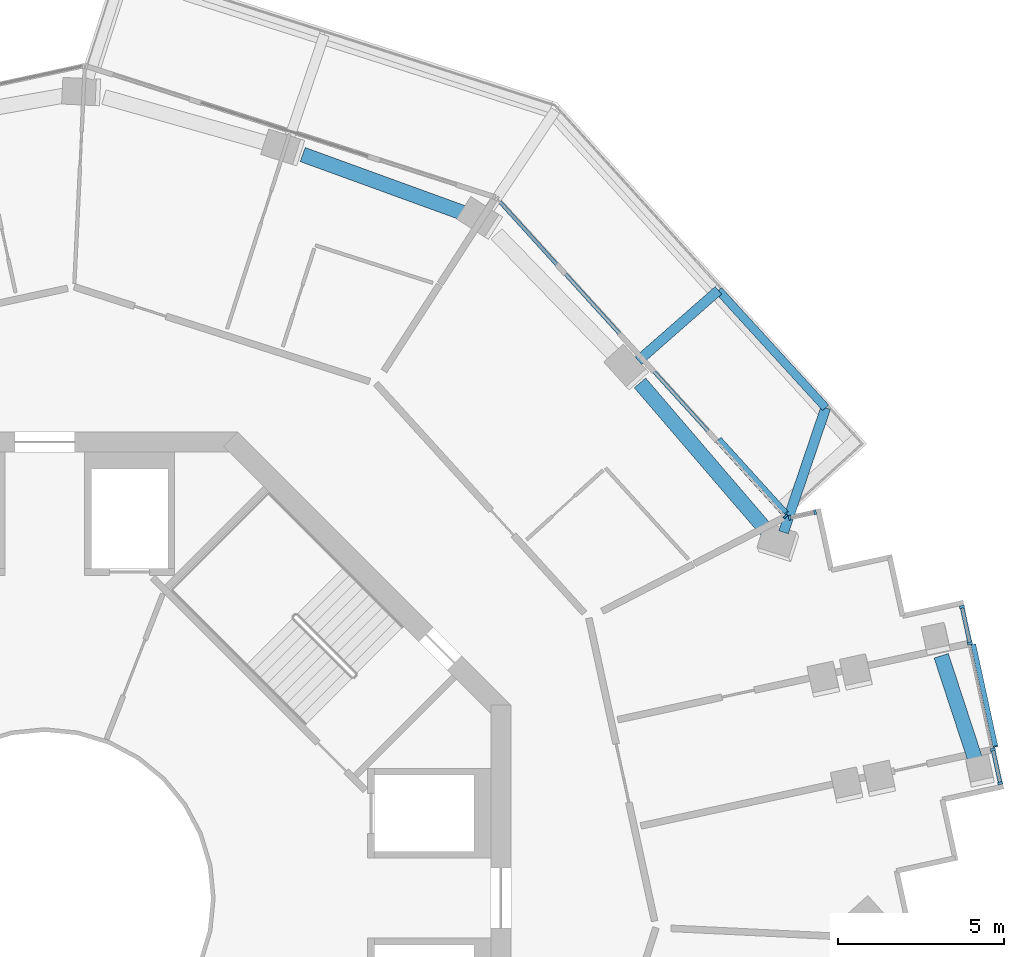
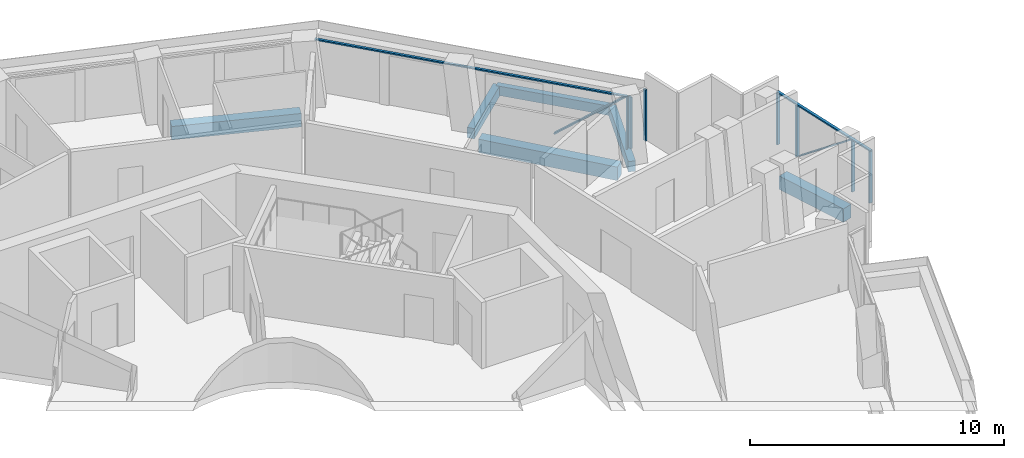
# One storey, part 8 of 23: 11 members, 6 beams, 3 elements without a shape of their own.
"""IFC4 building model written with IfcOpenShell, lengths in metres."""

from ifc_helpers import new_model, si_unit, direction, frame, origin, origin_2d, place, context, subcontext, project, spatial, rectangle, extrude, material, layer, layer_set, material_profile, profile_set, type_object, element, aggregate, save


model = new_model("IFC4")

# Units and contexts
model_context = context("Model", 3, precision=1e-05, world=origin(), true_north=direction((0.0, 1.0)))
body_context = subcontext(model_context, "Body", "Model", "MODEL_VIEW")
ifc_project = project(units=[si_unit("LENGTHUNIT", "METRE"), si_unit("AREAUNIT", "SQUARE_METRE"), si_unit("VOLUMEUNIT", "CUBIC_METRE"), si_unit("PLANEANGLEUNIT", "RADIAN"), si_unit("MASSUNIT", "GRAM", prefix="KILO")], contexts=[model_context])

# Site, building, storey
site_placement = place(None, origin())
site = spatial("IfcSite", under=ifc_project, at=site_placement, CompositionType="ELEMENT")
building_placement = place(site_placement, origin())
building = spatial("IfcBuilding", under=site, at=building_placement, Name="Verdalira Terraces Hotel", CompositionType="ELEMENT")
storey_placement = place(building_placement, frame((0.0, 0.0, 205.5)))
storey = spatial("IfcBuildingStorey", under=building, at=storey_placement, Name="L50", CompositionType="ELEMENT", Elevation=205.5)

# Beams
ifc_material_1 = material(Name="Concrete C40", Category="concrete")
ifc_material_profile_1 = material_profile(ifc_material_1, rectangle(XDim=0.300049, YDim=0.5, at=origin_2d()), Name="RC 300X500")
ifc_profile_set_1 = profile_set([ifc_material_profile_1], Name="Concrete C40")
beam_type_1 = type_object("IfcBeamType", Name="Balcony cantilever beam RC 300X500 C40", PredefinedType="BEAM", material=ifc_profile_set_1)
beam_1_placement = place(storey_placement, frame((22.19458, 10.990723, -0.560059), z_axis=(0.320970688, 0.947089129, 0.0), x_axis=(-0.947089129, 0.320970688, 0.0)))
element("IfcBeam", 1, at=beam_1_placement, inside=storey, type_object=beam_type_1, Name="Balcony cantilever beam R39-1", PredefinedType="BEAM", context=body_context, shape_type="SweptSolid", body=[
    extrude(rectangle(XDim=0.300049, YDim=0.5, at=origin_2d()), origin(), (0.0, 0.0, 1.0), 3.949951),
])
beam_2_placement = place(storey_placement, frame((17.833984, 16.147461, -0.560059), z_axis=(0.751460517, 0.659778062, 0.0), x_axis=(-0.659778062, 0.751460517, 0.0)))
element("IfcBeam", 2, at=beam_2_placement, inside=storey, type_object=beam_type_1, Name="Balcony cantilever beam R39-2", PredefinedType="BEAM", context=body_context, shape_type="SweptSolid", body=[
    extrude(rectangle(XDim=0.300049, YDim=0.5, at=origin_2d()), origin(), (0.0, 0.0, 1.0), 3.200684),
])
ifc_material_2 = material(Name="Concrete C40", Category="concrete")
ifc_material_profile_2 = material_profile(ifc_material_2, rectangle(XDim=0.25, YDim=0.449951, at=origin_2d()), Name="RC 250X450")
ifc_profile_set_2 = profile_set([ifc_material_profile_2], Name="Concrete C40")
beam_type_2 = type_object("IfcBeamType", Name="Balcony edge beam RC 250X450 C40", PredefinedType="BEAM", material=ifc_profile_set_2)
beam_3_placement = place(storey_placement, frame((23.462402, 14.731689, -0.534912), z_axis=(-0.674532214, 0.738245415, 0.0), x_axis=(-0.738245415, -0.674532214, 0.0)))
element("IfcBeam", 3, at=beam_3_placement, inside=storey, type_object=beam_type_2, Name="Balcony edge beam R39-1", PredefinedType="BEAM", context=body_context, shape_type="SweptSolid", body=[
    extrude(rectangle(XDim=0.25, YDim=0.449951, at=origin_2d()), origin(), (0.0, 0.0, 1.0), 4.77832),
])

# Curtain wall, members
ifc_material_3 = material(Name="Clear glass", Category="glass")
ifc_layer_1 = layer(ifc_material_3, 0.14990234375)
ifc_layer_set_1 = layer_set([ifc_layer_1], Name="CW1 curtain wall")
curtain_wall_type_1 = type_object("IfcCurtainWallType", Name="CW1 curtain wall", PredefinedType="NOTDEFINED", material=ifc_layer_set_1)
curtain_wall_1_placement = place(storey_placement, origin())
curtain_wall_1 = element("IfcCurtainWall", 4, at=curtain_wall_1_placement, inside=storey, type_object=curtain_wall_type_1, Name="CW1 curtain wall L50 edge 39", PredefinedType="NOTDEFINED")
ifc_material_4 = material(Name="Terracotta frame", Category="masonry")
ifc_material_profile_3 = material_profile(ifc_material_4, rectangle(XDim=0.060059, YDim=0.149902, at=origin_2d()), Name="MU 60x150")
ifc_profile_set_3 = profile_set([ifc_material_profile_3], Name="Terracotta frame")
member_type_1 = type_object("IfcMemberType", Name="CW1 mullion 60x150", PredefinedType="MULLION", material=ifc_profile_set_3)
member_1_placement = place(storey_placement, frame((22.253174, 11.467041, 0.0), z_axis=(0.0, 0.0, 1.0), x_axis=(-0.672237605, 0.740335466, 0.0)))
member_1 = element("IfcMember", 5, at=member_1_placement, type_object=member_type_1, Name="CW1 mullion", PredefinedType="MULLION", context=body_context, shape_type="SweptSolid", body=[
    extrude(rectangle(XDim=0.060059, YDim=0.149902, at=origin_2d()), origin(), (0.0, 0.0, 1.0), 2.475098),
])
ifc_material_5 = material(Name="Terracotta frame", Category="masonry")
ifc_material_profile_4 = material_profile(ifc_material_5, rectangle(XDim=0.110107, YDim=0.064941, at=origin_2d()), Name="TR 65x110")
ifc_profile_set_4 = profile_set([ifc_material_profile_4], Name="Terracotta frame")
member_type_2 = type_object("IfcMemberType", Name="CW1 transom 65x110", PredefinedType="USERDEFINED", material=ifc_profile_set_4)
member_2_placement = place(storey_placement, frame((22.273438, 11.444824, 2.507568), z_axis=(-0.672246049, 0.740327799, 0.0), x_axis=(-0.740327799, -0.672246049, 0.0)))
member_2 = element("IfcMember", 6, at=member_2_placement, type_object=member_type_2, Name="CW1 transom", ObjectType="TRANSOM", PredefinedType="USERDEFINED", context=body_context, shape_type="SweptSolid", body=[
    extrude(rectangle(XDim=0.110107, YDim=0.064941, at=origin_2d()), origin(), (0.0, 0.0, 1.0), 12.959717),
])

ifc_material_6 = material(Name="Clear glass", Category="glass")
ifc_layer_2 = layer(ifc_material_6, 0.14990234375)
ifc_layer_set_2 = layer_set([ifc_layer_2], Name="CW2 curtain wall")
curtain_wall_type_2 = type_object("IfcCurtainWallType", Name="CW2 curtain wall", PredefinedType="NOTDEFINED", material=ifc_layer_set_2)
curtain_wall_2_placement = place(storey_placement, origin())
curtain_wall_2 = element("IfcCurtainWall", 7, at=curtain_wall_2_placement, inside=storey, type_object=curtain_wall_type_2, Name="CW2 curtain wall L50 edge 38", PredefinedType="NOTDEFINED")
ifc_material_7 = material(Name="Terracotta frame", Category="masonry")
ifc_material_profile_5 = material_profile(ifc_material_7, rectangle(XDim=0.070068, YDim=0.149902, at=origin_2d()), Name="MU 70x150")
ifc_profile_set_5 = profile_set([ifc_material_profile_5], Name="Terracotta frame")
member_type_3 = type_object("IfcMemberType", Name="CW2 mullion 70x150", PredefinedType="MULLION", material=ifc_profile_set_5)
member_3_placement = place(storey_placement, frame((23.141113, 11.594727, 0.0), z_axis=(0.0, 0.0, 1.0), x_axis=(-0.977268124, -0.21200711, 0.0)))
member_3 = element("IfcMember", 8, at=member_3_placement, type_object=member_type_3, Name="CW2 mullion", PredefinedType="MULLION", context=body_context, shape_type="SweptSolid", body=[
    extrude(rectangle(XDim=0.070068, YDim=0.149902, at=origin_2d()), origin(), (0.0, 0.0, 1.0), 2.475098),
])
member_4_placement = place(storey_placement, frame((22.378906, 11.429199, 0.0), z_axis=(0.0, 0.0, 1.0), x_axis=(-0.977268124, -0.21200711, 0.0)))
member_4 = element("IfcMember", 9, at=member_4_placement, type_object=member_type_3, Name="CW2 mullion", PredefinedType="MULLION", context=body_context, shape_type="SweptSolid", body=[
    extrude(rectangle(XDim=0.070068, YDim=0.149902, at=origin_2d()), origin(), (0.0, 0.0, 1.0), 2.475098),
])
aggregate(curtain_wall_2, [member_3, member_4])

ifc_material_8 = material(Name="Clear glass", Category="glass")
ifc_layer_3 = layer(ifc_material_8, 0.14990234375)
ifc_layer_set_3 = layer_set([ifc_layer_3], Name="CW3 curtain wall")
curtain_wall_type_3 = type_object("IfcCurtainWallType", Name="CW3 curtain wall", PredefinedType="NOTDEFINED", material=ifc_layer_set_3)
curtain_wall_3_placement = place(storey_placement, origin())
curtain_wall_3 = element("IfcCurtainWall", 10, at=curtain_wall_3_placement, inside=storey, type_object=curtain_wall_type_3, Name="CW3 curtain wall L50 edge 33", PredefinedType="NOTDEFINED")
ifc_material_9 = material(Name="Terracotta frame", Category="masonry")
ifc_material_profile_6 = material_profile(ifc_material_9, rectangle(XDim=0.080078, YDim=0.149902, at=origin_2d()), Name="MU 80x150")
ifc_profile_set_6 = profile_set([ifc_material_profile_6], Name="Terracotta frame")
member_type_4 = type_object("IfcMemberType", Name="CW3 mullion 80x150", PredefinedType="MULLION", material=ifc_profile_set_6)
member_5_placement = place(storey_placement, frame((28.703613, 3.453857, 0.0), z_axis=(0.0, 0.0, 1.0), x_axis=(-0.21200711, 0.977268124, 0.0)))
member_5 = element("IfcMember", 11, at=member_5_placement, type_object=member_type_4, Name="CW3 mullion", PredefinedType="MULLION", context=body_context, shape_type="SweptSolid", body=[
    extrude(rectangle(XDim=0.080078, YDim=0.149902, at=origin_2d()), origin(), (0.0, 0.0, 1.0), 2.475098),
])
member_6_placement = place(storey_placement, frame((28.484375, 4.4646, 0.0), z_axis=(0.0, 0.0, 1.0), x_axis=(-0.21200711, 0.977268124, 0.0)))
member_6 = element("IfcMember", 12, at=member_6_placement, type_object=member_type_4, Name="CW3 mullion", PredefinedType="MULLION", context=body_context, shape_type="SweptSolid", body=[
    extrude(rectangle(XDim=0.080078, YDim=0.149902, at=origin_2d()), origin(), (0.0, 0.0, 1.0), 2.475098),
])
member_7_placement = place(storey_placement, frame((27.792236, 7.655029, 0.0), z_axis=(0.0, 0.0, 1.0), x_axis=(-0.21200711, 0.977268124, 0.0)))
member_7 = element("IfcMember", 13, at=member_7_placement, type_object=member_type_4, Name="CW3 mullion", PredefinedType="MULLION", context=body_context, shape_type="SweptSolid", body=[
    extrude(rectangle(XDim=0.080078, YDim=0.149902, at=origin_2d()), origin(), (0.0, 0.0, 1.0), 2.475098),
])
member_8_placement = place(storey_placement, frame((27.554443, 8.750732, 0.0), z_axis=(0.0, 0.0, 1.0), x_axis=(-0.21200711, 0.977268124, 0.0)))
member_8 = element("IfcMember", 14, at=member_8_placement, type_object=member_type_4, Name="CW3 mullion", PredefinedType="MULLION", context=body_context, shape_type="SweptSolid", body=[
    extrude(rectangle(XDim=0.080078, YDim=0.149902, at=origin_2d()), origin(), (0.0, 0.0, 1.0), 2.475098),
])
ifc_material_10 = material(Name="Terracotta frame", Category="masonry")
ifc_material_profile_7 = material_profile(ifc_material_10, rectangle(XDim=0.120117, YDim=0.064941, at=origin_2d()), Name="TR 65x120")
ifc_profile_set_7 = profile_set([ifc_material_profile_7], Name="Terracotta frame")
member_type_5 = type_object("IfcMemberType", Name="CW3 transom 65x120", PredefinedType="USERDEFINED", material=ifc_profile_set_7)
member_9_placement = place(storey_placement, frame((28.712158, 3.414795, 2.507568), z_axis=(-0.212044472, 0.977260017, 0.0), x_axis=(-0.977260017, -0.212044472, 0.0)))
member_9 = element("IfcMember", 15, at=member_9_placement, type_object=member_type_5, Name="CW3 transom", ObjectType="TRANSOM", PredefinedType="USERDEFINED", context=body_context, shape_type="SweptSolid", body=[
    extrude(rectangle(XDim=0.120117, YDim=0.064941, at=origin_2d()), origin(), (0.0, 0.0, 1.0), 5.5),
])
ifc_material_11 = material(Name="Terracotta frame", Category="masonry")
ifc_material_profile_8 = material_profile(ifc_material_11, rectangle(XDim=0.149902, YDim=0.060059, at=origin_2d()), Name="GB 60x150")
ifc_profile_set_8 = profile_set([ifc_material_profile_8], Name="Terracotta frame")
member_type_6 = type_object("IfcMemberType", Name="Diagonal glazing bar 60x150", PredefinedType="USERDEFINED", material=ifc_profile_set_8)
member_10_placement = place(storey_placement, frame((28.559814, 4.554932, 2.450195), z_axis=(-0.167347212, 0.771625703, -0.61366822), x_axis=(-0.977280752, -0.211948888, 0.0)))
member_10 = element("IfcMember", 16, at=member_10_placement, type_object=member_type_6, Name="Diagonal glazing bar", ObjectType="GLAZING BAR", PredefinedType="USERDEFINED", context=body_context, shape_type="SweptSolid", body=[
    extrude(rectangle(XDim=0.149902, YDim=0.060059, at=origin_2d()), origin(), (0.0, 0.0, 1.0), 3.952148),
])
aggregate(curtain_wall_3, [member_5, member_6, member_7, member_8, member_9, member_10])

# Member
member_11_placement = place(storey_placement, frame((22.278564, 11.571289, 2.450439), z_axis=(-0.521271078, 0.574135234, -0.631383557), x_axis=(-0.740369991, -0.67219958, 0.0)))
member_11 = element("IfcMember", 17, at=member_11_placement, type_object=member_type_6, Name="Diagonal glazing bar", ObjectType="GLAZING BAR", PredefinedType="USERDEFINED", context=body_context, shape_type="SweptSolid", body=[
    extrude(rectangle(XDim=0.149902, YDim=0.060059, at=origin_2d()), origin(), (0.0, 0.0, 1.0), 3.842285),
])

aggregate(curtain_wall_1, [member_1, member_2, member_11])

# Beams
ifc_material_12 = material(Name="Concrete C50", Category="concrete")
ifc_material_profile_9 = material_profile(ifc_material_12, rectangle(XDim=0.449951, YDim=0.649902, at=origin_2d()), Name="RC 450X650")
ifc_profile_set_9 = profile_set([ifc_material_profile_9], Name="Concrete C50")
beam_type_3 = type_object("IfcBeamType", Name="Spandrel beam RC 450X650 C50", PredefinedType="SPANDREL", material=ifc_profile_set_9)
beam_4_placement = place(storey_placement, frame((27.990723, 4.046631, -0.63501), z_axis=(-0.311361724, 0.95029147, 0.0), x_axis=(-0.95029147, -0.311361724, 0.0)))
element("IfcBeam", 18, at=beam_4_placement, inside=storey, type_object=beam_type_3, Name="Spandrel beam B17", PredefinedType="SPANDREL", context=body_context, shape_type="SweptSolid", body=[
    extrude(rectangle(XDim=0.449951, YDim=0.649902, at=origin_2d()), origin(), (0.0, 0.0, 1.0), 3.404541),
])
beam_5_placement = place(storey_placement, frame((21.666016, 11.066406, -0.63501), z_axis=(-0.651061076, 0.759025345, 0.0), x_axis=(-0.759025345, -0.651061076, 0.0)))
element("IfcBeam", 19, at=beam_5_placement, inside=storey, type_object=beam_type_3, Name="Spandrel beam B18", PredefinedType="SPANDREL", context=body_context, shape_type="SweptSolid", body=[
    extrude(rectangle(XDim=0.449951, YDim=0.649902, at=origin_2d()), origin(), (0.0, 0.0, 1.0), 5.813721),
])
beam_6_placement = place(storey_placement, frame((12.627197, 20.563965, -0.63501), z_axis=(-0.93972751, 0.34192427, 0.0), x_axis=(-0.34192427, -0.93972751, 0.0)))
element("IfcBeam", 20, at=beam_6_placement, inside=storey, type_object=beam_type_3, Name="Spandrel beam B20", PredefinedType="SPANDREL", context=body_context, shape_type="SweptSolid", body=[
    extrude(rectangle(XDim=0.449951, YDim=0.649902, at=origin_2d()), origin(), (0.0, 0.0, 1.0), 5.192383),
])

save(model, "model.ifc")
